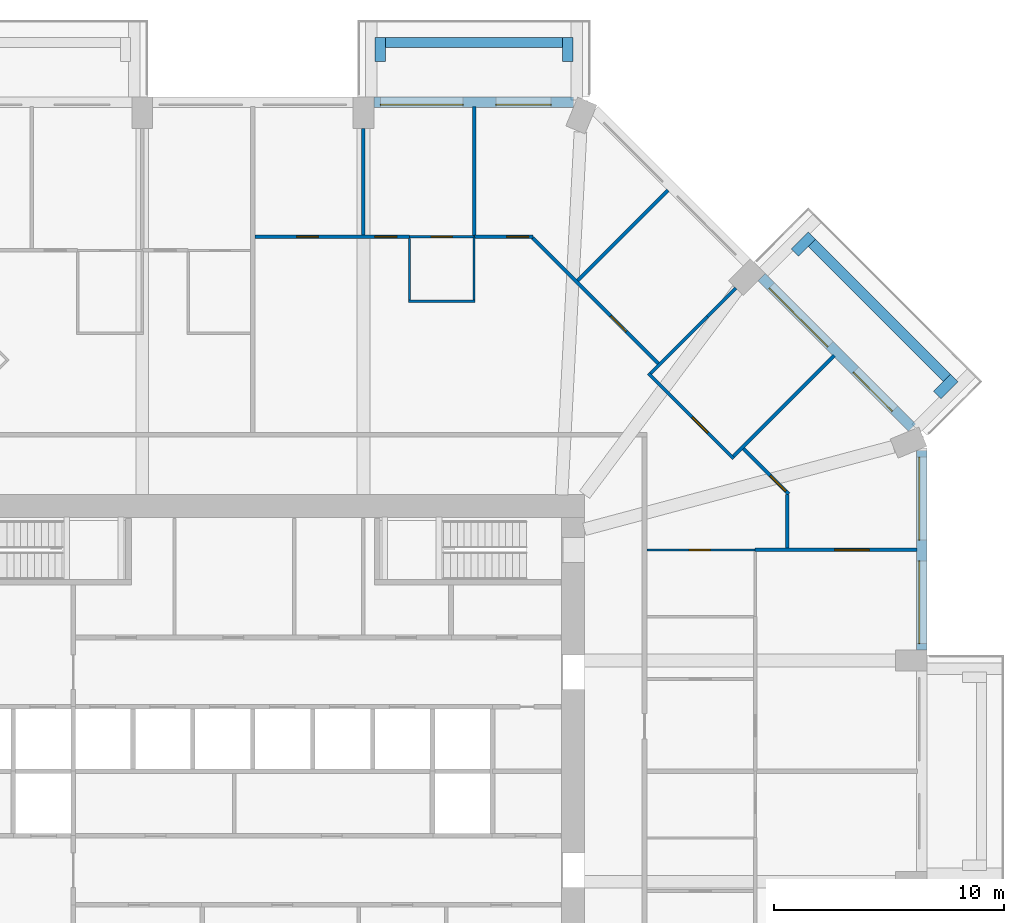
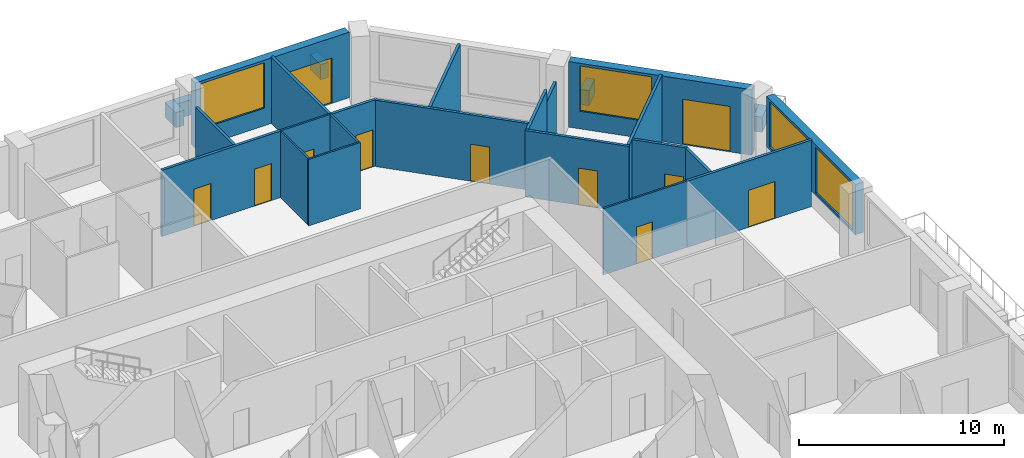
# One storey, part 10 of 13: 27 walls, 11 doors, 4 windows, 15 openings.
"""IFC4 building model written with IfcOpenShell, lengths in metres."""

from ifc_helpers import new_model, si_unit, direction, frame, frame_2d, origin, place, context, subcontext, project, spatial, rectangle, extrude, material, layer, layer_set, type_object, element, fill, save


model = new_model("IFC4")

# Units and contexts
model_context = context("Model", 3, precision=1e-05, world=origin(), true_north=direction((0.0, 1.0)))
body_context = subcontext(model_context, "Body", "Model", "MODEL_VIEW")
ifc_project = project(units=[si_unit("LENGTHUNIT", "METRE"), si_unit("AREAUNIT", "SQUARE_METRE"), si_unit("VOLUMEUNIT", "CUBIC_METRE"), si_unit("PLANEANGLEUNIT", "RADIAN"), si_unit("MASSUNIT", "GRAM", prefix="KILO")], contexts=[model_context])

# Site, building, storey
site_placement = place(None, origin())
site = spatial("IfcSite", under=ifc_project, at=site_placement, CompositionType="ELEMENT")
building_placement = place(site_placement, origin())
building = spatial("IfcBuilding", under=site, at=building_placement, Name="Msitu Wima Residences", CompositionType="ELEMENT")
storey_placement = place(building_placement, frame((0.0, 0.0, 38.10009765625)))
storey = spatial("IfcBuildingStorey", under=building, at=storey_placement, Name="L08", CompositionType="ELEMENT", Elevation=38.10009765625)

# Walls
ifc_material_1 = material(Name="Facing brick")
ifc_layer_1 = layer(ifc_material_1, 0.06494140625, Name="Facing brick")
ifc_material_2 = material(Name="Concrete C40/50", Category="concrete")
ifc_layer_2 = layer(ifc_material_2, 0.156005859375, Name="Concrete C40/50")
ifc_material_3 = material(Name="Waterproofing membrane")
ifc_layer_3 = layer(ifc_material_3, 0.00390625, Name="Waterproofing membrane")
ifc_material_4 = material(Name="Planting soil and planting")
ifc_layer_4 = layer(ifc_material_4, 0.22509765625, Name="Planting soil and planting")
ifc_layer_set_1 = layer_set([ifc_layer_1, ifc_layer_2, ifc_layer_3, ifc_layer_4], Name="Concrete C40/50")
wall_type_1 = type_object("IfcWallType", Name="Balcony planter PLANTER PL450", PredefinedType="USERDEFINED", material=ifc_layer_set_1)
wall_1_placement = place(storey_placement, frame((30.125732421875, 17.0693359375, 0.0), z_axis=(0.0, 0.0, 1.0), x_axis=(-0.707106781187, 0.707106781187, 0.0)))
element("IfcWall", 1, at=wall_1_placement, inside=storey, type_object=wall_type_1, Name="Balcony planter NE0 L08", ObjectType="PLANTER", PredefinedType="USERDEFINED", context=body_context, shape_type="SweptSolid", body=[
    extrude(rectangle(XDim=8.2822265625, YDim=0.449951171875, at=frame_2d((4.14111328125, 0.0))), origin(), (0.0, 0.0, 1.0), 0.89990234375),
])
for number, where, z_axis, x_axis, name in (
    (2, (29.70166015625, 16.326904296875, 0.0), (0.0, 0.0, 1.0), (0.707106781187, 0.707106781187, 0.0), "Balcony planter NE0 L08"),
    (3, (23.52685546875, 22.50146484375, 0.0), (0.0, 0.0, 1.0), (0.706990528533, 0.707223014731, 0.0), "Balcony planter NE0 L08"),
):
    element("IfcWall", number, at=place(storey_placement, frame(where, z_axis=z_axis, x_axis=x_axis)), inside=storey, type_object=wall_type_1, Name=name, ObjectType="PLANTER", PredefinedType="USERDEFINED", context=body_context, shape_type="SweptSolid", body=[
        extrude(rectangle(XDim=1.050048828125, YDim=0.449951171875, at=frame_2d((0.52490234375, 0.0))), origin(), (0.0, 0.0, 1.0), 0.89990234375),
    ])
wall_2_placement = place(storey_placement, frame((13.449951171875, 31.625, 0.0), z_axis=(0.0, 0.0, 1.0), x_axis=(-1.0, 0.0, 0.0)))
element("IfcWall", 4, at=wall_2_placement, inside=storey, type_object=wall_type_1, Name="Balcony planter N0 L08", ObjectType="PLANTER", PredefinedType="USERDEFINED", context=body_context, shape_type="SweptSolid", body=[
    extrude(rectangle(XDim=7.699951171875, YDim=0.449951171875, at=frame_2d((3.85009765625, 0.0))), origin(), (0.0, 0.0, 1.0), 0.89990234375),
])
for number, where, z_axis, x_axis, name in (
    (5, (13.675048828125, 30.800048828125, 0.0), (0.0, 0.0, 1.0), (0.0, 1.0, 0.0), "Balcony planter N0 L08"),
    (6, (5.52490234375, 30.800048828125, 0.0), (0.0, 0.0, 1.0), (0.0, 1.0, 0.0), "Balcony planter N0 L08"),
):
    element("IfcWall", number, at=place(storey_placement, frame(where, z_axis=z_axis, x_axis=x_axis)), inside=storey, type_object=wall_type_1, Name=name, ObjectType="PLANTER", PredefinedType="USERDEFINED", context=body_context, shape_type="SweptSolid", body=[
        extrude(rectangle(XDim=1.050048828125, YDim=0.449951171875, at=frame_2d((0.52490234375, 0.0))), origin(), (0.0, 0.0, 1.0), 0.89990234375),
    ])

# Wall, openings, windows
ifc_material_5 = material(Name="Brick (red buff mix)", Category="masonry")
ifc_layer_5 = layer(ifc_material_5, 0.449951171875)
ifc_layer_set_2 = layer_set([ifc_layer_5], Name="Brick (red buff mix)")
wall_type_2 = type_object("IfcWallType", Name="Brick infill wall BW450", PredefinedType="SOLIDWALL", material=ifc_layer_set_2)
wall_3_placement = place(storey_placement, frame((29.02490234375, 5.25, 0.89990234375), z_axis=(0.0, 0.0, 1.0), x_axis=(0.0, 1.0, 0.0)))
wall_3 = element("IfcWall", 7, at=wall_3_placement, inside=storey, type_object=wall_type_2, Name="Brick infill wall L08 E2", PredefinedType="SOLIDWALL", context=body_context, shape_type="SweptSolid", body=[
    extrude(rectangle(XDim=8.662841796875, YDim=0.449951171875, at=frame_2d((4.33154296875, 0.0))), origin(), (0.0, 0.0, 1.0), 3.0),
])
opening_1_placement = place(wall_3_placement, frame((0.281494140625, 0.0, 0.14990234375)))
opening_1 = element("IfcOpeningElement", 8, at=opening_1_placement, cuts=wall_3, Name="Opening W08-10.004", PredefinedType="OPENING", context=body_context, shape_type="SweptSolid", body=[
    extrude(rectangle(XDim=3.60009765625, YDim=2.699951171875, at=frame_2d((1.800048828125, 1.35009765625))), frame((0.0, 0.23486328125, 0.0), z_axis=(0.0, -1.0, 0.0), x_axis=(1.0, 0.0, 0.0)), (0.0, 0.0, 1.0), 0.469970703125),
])
opening_2_placement = place(wall_3_placement, frame((4.781494140625, 0.0, 0.14990234375)))
opening_2 = element("IfcOpeningElement", 9, at=opening_2_placement, cuts=wall_3, Name="Opening W08-10.005", PredefinedType="OPENING", context=body_context, shape_type="SweptSolid", body=[
    extrude(rectangle(XDim=3.60009765625, YDim=2.699951171875, at=frame_2d((1.800048828125, 1.35009765625))), frame((0.0, 0.23486328125, 0.0), z_axis=(0.0, -1.0, 0.0), x_axis=(1.0, 0.0, 0.0)), (0.0, 0.0, 1.0), 0.469970703125),
])
ifc_material_6 = material(Name="Anodised aluminium, bronze finish, clear low-emissivity double glazing", Category="aluminium")
window_type = type_object("IfcWindowType", Name="Window W3600x2700", PartitioningType="DOUBLE_PANEL_VERTICAL", PredefinedType="WINDOW", material=ifc_material_6)
window_1_placement = place(opening_1_placement, origin())
window_1 = element("IfcWindow", 10, at=window_1_placement, inside=storey, type_object=window_type, Name="Window L08 E2.1", OverallHeight=2.699951171875, OverallWidth=3.60009765625, PartitioningType="SINGLE_PANEL", PredefinedType="WINDOW", context=body_context, shape_type="SweptSolid", body=[
    extrude(rectangle(XDim=3.60009765625, YDim=2.699951171875, at=frame_2d((1.800048828125, 1.35009765625))), frame((0.0, 0.135009765625, 0.0), z_axis=(0.0, -1.0, 0.0), x_axis=(1.0, 0.0, 0.0)), (0.0, 0.0, 1.0), 0.06005859375),
])
fill(opening_1, window_1)
window_2_placement = place(opening_2_placement, origin())
window_2 = element("IfcWindow", 11, at=window_2_placement, inside=storey, type_object=window_type, Name="Window L08 E2.2", OverallHeight=2.699951171875, OverallWidth=3.60009765625, PartitioningType="SINGLE_PANEL", PredefinedType="WINDOW", context=body_context, shape_type="SweptSolid", body=[
    extrude(rectangle(XDim=3.60009765625, YDim=2.699951171875, at=frame_2d((1.800048828125, 1.35009765625))), frame((0.0, 0.135009765625, 0.0), z_axis=(0.0, -1.0, 0.0), x_axis=(1.0, 0.0, 0.0)), (0.0, 0.0, 1.0), 0.06005859375),
])
fill(opening_2, window_2)

# Wall, openings, door, window
wall_4_placement = place(storey_placement, frame((28.61474609375, 14.903564453125, 0.0), z_axis=(0.0, 0.0, 1.0), x_axis=(-0.707106781187, 0.707106781187, 0.0)))
wall_4 = element("IfcWall", 12, at=wall_4_placement, inside=storey, type_object=wall_type_2, Name="Brick infill wall L08 NE0", PredefinedType="SOLIDWALL", context=body_context, shape_type="SweptSolid", body=[
    extrude(rectangle(XDim=9.2451171875, YDim=0.449951171875, at=frame_2d((4.62255859375, 0.0))), origin(), (0.0, 0.0, 1.0), 3.89990234375),
])
opening_3_placement = place(wall_4_placement, frame((1.111328125, 0.0, 0.0)))
opening_3 = element("IfcOpeningElement", 13, at=opening_3_placement, cuts=wall_4, Name="Opening D08-10.004", PredefinedType="OPENING", context=body_context, shape_type="SweptSolid", body=[
    extrude(rectangle(XDim=2.39990234375, YDim=2.699951171875, at=frame_2d((1.199951171875, 1.35009765625))), frame((0.0, 0.23486328125, 0.0), z_axis=(0.0, -1.0, 0.0), x_axis=(1.0, 0.0, 0.0)), (0.0, 0.0, 1.0), 0.469970703125),
])
opening_4_placement = place(wall_4_placement, frame((5.072509765625, 0.0, 1.050048828125)))
opening_4 = element("IfcOpeningElement", 14, at=opening_4_placement, cuts=wall_4, Name="Opening W08-10.010", PredefinedType="OPENING", context=body_context, shape_type="SweptSolid", body=[
    extrude(rectangle(XDim=3.60009765625, YDim=2.699951171875, at=frame_2d((1.800048828125, 1.35009765625))), frame((0.0, 0.23486328125, 0.0), z_axis=(0.0, -1.0, 0.0), x_axis=(1.0, 0.0, 0.0)), (0.0, 0.0, 1.0), 0.469970703125),
])
door_type_1 = type_object("IfcDoorType", Name="Balcony door D2400x2700", OperationType="SLIDING_TO_LEFT", PredefinedType="DOOR", material=ifc_material_6)
door_1_placement = place(opening_3_placement, origin())
door_1 = element("IfcDoor", 15, at=door_1_placement, inside=storey, type_object=door_type_1, Name="Balcony door L08 NE0", OperationType="SINGLE_SWING_LEFT", OverallHeight=2.699951171875, OverallWidth=2.39990234375, PredefinedType="DOOR", context=body_context, shape_type="SweptSolid", body=[
    extrude(rectangle(XDim=2.39990234375, YDim=2.699951171875, at=frame_2d((1.199951171875, 1.35009765625))), frame((0.0, 0.1298828125, 0.0), z_axis=(0.0, -1.0, 0.0), x_axis=(1.0, 0.0, 0.0)), (0.0, 0.0, 1.0), 0.050048828125),
])
fill(opening_3, door_1)
window_3_placement = place(opening_4_placement, origin())
window_3 = element("IfcWindow", 16, at=window_3_placement, inside=storey, type_object=window_type, Name="Window L08 NE0.2", OverallHeight=2.699951171875, OverallWidth=3.60009765625, PartitioningType="SINGLE_PANEL", PredefinedType="WINDOW", context=body_context, shape_type="SweptSolid", body=[
    extrude(rectangle(XDim=3.60009765625, YDim=2.699951171875, at=frame_2d((1.800048828125, 1.35009765625))), frame((0.0, 0.135009765625, 0.0), z_axis=(0.0, -1.0, 0.0), x_axis=(1.0, 0.0, 0.0)), (0.0, 0.0, 1.0), 0.06005859375),
])
fill(opening_4, window_3)

wall_5_placement = place(storey_placement, frame((13.912841796875, 29.02490234375, 0.0), z_axis=(0.0, 0.0, 1.0), x_axis=(-1.0, 0.0, 0.0)))
wall_5 = element("IfcWall", 17, at=wall_5_placement, inside=storey, type_object=wall_type_2, Name="Brick infill wall L08 N0", PredefinedType="SOLIDWALL", context=body_context, shape_type="SweptSolid", body=[
    extrude(rectangle(XDim=8.662841796875, YDim=0.449951171875, at=frame_2d((4.33154296875, 0.0))), origin(), (0.0, 0.0, 1.0), 3.89990234375),
])
opening_5_placement = place(wall_5_placement, frame((0.9658203125, 0.0, 0.0)))
opening_5 = element("IfcOpeningElement", 18, at=opening_5_placement, cuts=wall_5, Name="Opening D08-10.002", PredefinedType="OPENING", context=body_context, shape_type="SweptSolid", body=[
    extrude(rectangle(XDim=2.39990234375, YDim=2.699951171875, at=frame_2d((1.199951171875, 1.35009765625))), frame((0.0, 0.23486328125, 0.0), z_axis=(0.0, -1.0, 0.0), x_axis=(1.0, 0.0, 0.0)), (0.0, 0.0, 1.0), 0.469970703125),
])
opening_6_placement = place(wall_5_placement, frame((4.781494140625, 0.0, 1.050048828125)))
opening_6 = element("IfcOpeningElement", 19, at=opening_6_placement, cuts=wall_5, Name="Opening W08-10.006", PredefinedType="OPENING", context=body_context, shape_type="SweptSolid", body=[
    extrude(rectangle(XDim=3.60009765625, YDim=2.699951171875, at=frame_2d((1.800048828125, 1.35009765625))), frame((0.0, 0.23486328125, 0.0), z_axis=(0.0, -1.0, 0.0), x_axis=(1.0, 0.0, 0.0)), (0.0, 0.0, 1.0), 0.469970703125),
])
door_2_placement = place(opening_5_placement, origin())
door_2 = element("IfcDoor", 20, at=door_2_placement, inside=storey, type_object=door_type_1, Name="Balcony door L08 N0", OperationType="SINGLE_SWING_LEFT", OverallHeight=2.699951171875, OverallWidth=2.39990234375, PredefinedType="DOOR", context=body_context, shape_type="SweptSolid", body=[
    extrude(rectangle(XDim=2.39990234375, YDim=2.699951171875, at=frame_2d((1.199951171875, 1.35009765625))), frame((0.0, 0.1298828125, 0.0), z_axis=(0.0, -1.0, 0.0), x_axis=(1.0, 0.0, 0.0)), (0.0, 0.0, 1.0), 0.050048828125),
])
fill(opening_5, door_2)
window_4_placement = place(opening_6_placement, origin())
window_4 = element("IfcWindow", 21, at=window_4_placement, inside=storey, type_object=window_type, Name="Window L08 N0.2", OverallHeight=2.699951171875, OverallWidth=3.60009765625, PartitioningType="SINGLE_PANEL", PredefinedType="WINDOW", context=body_context, shape_type="SweptSolid", body=[
    extrude(rectangle(XDim=3.60009765625, YDim=2.699951171875, at=frame_2d((1.800048828125, 1.35009765625))), frame((0.0, 0.135009765625, 0.0), z_axis=(0.0, -1.0, 0.0), x_axis=(1.0, 0.0, 0.0)), (0.0, 0.0, 1.0), 0.06005859375),
])
fill(opening_6, window_4)

# Wall, openings, doors
ifc_material_7 = material(Name="Plaster")
ifc_layer_6 = layer(ifc_material_7, 0.011962890625, Name="Plaster")
ifc_material_8 = material(Name="Concrete blockwork", Category="masonry")
ifc_layer_7 = layer(ifc_material_8, 0.1259765625, Name="Concrete blockwork")
ifc_layer_8 = layer(ifc_material_7, 0.011962890625, Name="Plaster")
ifc_layer_set_3 = layer_set([ifc_layer_6, ifc_layer_7, ifc_layer_8], Name="Concrete blockwork")
wall_type_3 = type_object("IfcWallType", Name="Partition PW150", PredefinedType="PARTITIONING", material=ifc_layer_set_3)
wall_6_placement = place(storey_placement, frame((0.10009765625, 23.199951171875, 0.0), z_axis=(0.0, 0.0, 1.0), x_axis=(1.0, 0.0, 0.0)))
wall_6 = element("IfcWall", 22, at=wall_6_placement, inside=storey, type_object=wall_type_3, Name="Partition", PredefinedType="PARTITIONING", context=body_context, shape_type="SweptSolid", body=[
    extrude(rectangle(XDim=6.699951171875, YDim=0.14990234375, at=frame_2d((3.35009765625, 0.0))), origin(), (0.0, 0.0, 1.0), 3.949951171875),
])
opening_7_placement = place(wall_6_placement, frame((1.800048828125, 0.0, 0.0)))
opening_7 = element("IfcOpeningElement", 23, at=opening_7_placement, cuts=wall_6, Name="Opening D08-10.086", PredefinedType="OPENING", context=body_context, shape_type="SweptSolid", body=[
    extrude(rectangle(XDim=0.949951171875, YDim=2.199951171875, at=frame_2d((0.47509765625, 1.10009765625))), frame((0.0, 0.0849609375, 0.0), z_axis=(0.0, -1.0, 0.0), x_axis=(1.0, 0.0, 0.0)), (0.0, 0.0, 1.0), 0.169921875),
])
opening_8_placement = place(wall_6_placement, frame((5.199951171875, 0.0, 0.0)))
opening_8 = element("IfcOpeningElement", 24, at=opening_8_placement, cuts=wall_6, Name="Opening D08-10.087", PredefinedType="OPENING", context=body_context, shape_type="SweptSolid", body=[
    extrude(rectangle(XDim=0.949951171875, YDim=2.199951171875, at=frame_2d((0.47509765625, 1.10009765625))), frame((0.0, 0.0849609375, 0.0), z_axis=(0.0, -1.0, 0.0), x_axis=(1.0, 0.0, 0.0)), (0.0, 0.0, 1.0), 0.169921875),
])
ifc_material_9 = material(Name="Timber flush door", Category="wood")
door_type_2 = type_object("IfcDoorType", Name="Room door D12 950x2200", OperationType="SINGLE_SWING_LEFT", PredefinedType="DOOR", material=ifc_material_9)
door_3_placement = place(opening_7_placement, origin())
door_3 = element("IfcDoor", 25, at=door_3_placement, inside=storey, type_object=door_type_2, Name="Room door", OperationType="SINGLE_SWING_LEFT", OverallHeight=2.199951171875, OverallWidth=0.949951171875, PredefinedType="DOOR", context=body_context, shape_type="SweptSolid", body=[
    extrude(rectangle(XDim=0.949951171875, YDim=2.199951171875, at=frame_2d((0.47509765625, 1.10009765625))), frame((0.0, 0.02490234375, 0.0), z_axis=(0.0, -1.0, 0.0), x_axis=(1.0, 0.0, 0.0)), (0.0, 0.0, 1.0), 0.050048828125),
])
fill(opening_7, door_3)
door_4_placement = place(opening_8_placement, origin())
door_4 = element("IfcDoor", 26, at=door_4_placement, inside=storey, type_object=door_type_2, Name="Room door", OperationType="SINGLE_SWING_LEFT", OverallHeight=2.199951171875, OverallWidth=0.949951171875, PredefinedType="DOOR", context=body_context, shape_type="SweptSolid", body=[
    extrude(rectangle(XDim=0.949951171875, YDim=2.199951171875, at=frame_2d((0.47509765625, 1.10009765625))), frame((0.0, 0.02490234375, 0.0), z_axis=(0.0, -1.0, 0.0), x_axis=(1.0, 0.0, 0.0)), (0.0, 0.0, 1.0), 0.050048828125),
])
fill(opening_8, door_4)

# Walls
wall_7_placement = place(storey_placement, frame((4.800048828125, 23.27490234375, 0.0), z_axis=(0.0, 0.0, 1.0), x_axis=(0.0, 1.0, 0.0)))
element("IfcWall", 27, at=wall_7_placement, inside=storey, type_object=wall_type_3, Name="Partition", PredefinedType="PARTITIONING", context=body_context, shape_type="SweptSolid", body=[
    extrude(rectangle(XDim=4.625, YDim=0.14990234375, at=frame_2d((2.3125, 0.0))), origin(), (0.0, 0.0, 1.0), 3.199951171875),
])
wall_8_placement = place(storey_placement, frame((9.60009765625, 23.179931640625, 0.0), z_axis=(0.0, 0.0, 1.0), x_axis=(0.0, 1.0, 0.0)))
element("IfcWall", 28, at=wall_8_placement, inside=storey, type_object=wall_type_3, Name="Partition", PredefinedType="PARTITIONING", context=body_context, shape_type="SweptSolid", body=[
    extrude(rectangle(XDim=5.675048828125, YDim=0.14990234375, at=frame_2d((2.83740234375, 0.0))), origin(), (0.0, 0.0, 1.0), 3.949951171875),
])

# Wall, opening, door
wall_9_placement = place(storey_placement, frame((9.6201171875, 23.199951171875, 0.0), z_axis=(0.0, 0.0, 1.0), x_axis=(1.0, 0.0, 0.0)))
wall_9 = element("IfcWall", 29, at=wall_9_placement, inside=storey, type_object=wall_type_3, Name="Partition", PredefinedType="PARTITIONING", context=body_context, shape_type="SweptSolid", body=[
    extrude(rectangle(XDim=2.535400390625, YDim=0.14990234375, at=frame_2d((1.267578125, 0.0))), origin(), (0.0, 0.0, 1.0), 3.949951171875),
])
opening_9_placement = place(wall_9_placement, frame((1.39990234375, 0.0, 0.0)))
opening_9 = element("IfcOpeningElement", 30, at=opening_9_placement, cuts=wall_9, Name="Opening D08-10.043", PredefinedType="OPENING", context=body_context, shape_type="SweptSolid", body=[
    extrude(rectangle(XDim=0.949951171875, YDim=2.199951171875, at=frame_2d((0.47509765625, 1.10009765625))), frame((0.0, 0.0849609375, 0.0), z_axis=(0.0, -1.0, 0.0), x_axis=(1.0, 0.0, 0.0)), (0.0, 0.0, 1.0), 0.169921875),
])
door_5_placement = place(opening_9_placement, origin())
door_5 = element("IfcDoor", 31, at=door_5_placement, inside=storey, type_object=door_type_2, Name="Room door", OperationType="SINGLE_SWING_LEFT", OverallHeight=2.199951171875, OverallWidth=0.949951171875, PredefinedType="DOOR", context=body_context, shape_type="SweptSolid", body=[
    extrude(rectangle(XDim=0.949951171875, YDim=2.199951171875, at=frame_2d((0.47509765625, 1.10009765625))), frame((0.0, 0.02490234375, 0.0), z_axis=(0.0, -1.0, 0.0), x_axis=(1.0, 0.0, 0.0)), (0.0, 0.0, 1.0), 0.050048828125),
])
fill(opening_9, door_5)

wall_10_placement = place(storey_placement, frame((12.133544921875, 23.14697265625, 0.0), z_axis=(0.0, 0.0, 1.0), x_axis=(0.707090953922, -0.707122608097, 0.0)))
wall_10 = element("IfcWall", 32, at=wall_10_placement, inside=storey, type_object=wall_type_3, Name="Partition", PredefinedType="PARTITIONING", context=body_context, shape_type="SweptSolid", body=[
    extrude(rectangle(XDim=7.712646484375, YDim=0.14990234375, at=frame_2d((3.8564453125, 0.0))), origin(), (0.0, 0.0, 1.0), 3.949951171875),
])
opening_10_placement = place(wall_10_placement, frame((4.800048828125, 0.0, 0.0)))
opening_10 = element("IfcOpeningElement", 33, at=opening_10_placement, cuts=wall_10, Name="Opening D08-10.085", PredefinedType="OPENING", context=body_context, shape_type="SweptSolid", body=[
    extrude(rectangle(XDim=0.949951171875, YDim=2.199951171875, at=frame_2d((0.47509765625, 1.10009765625))), frame((0.0, 0.0849609375, 0.0), z_axis=(0.0, -1.0, 0.0), x_axis=(1.0, 0.0, 0.0)), (0.0, 0.0, 1.0), 0.169921875),
])
door_6_placement = place(opening_10_placement, origin())
door_6 = element("IfcDoor", 34, at=door_6_placement, inside=storey, type_object=door_type_2, Name="Room door", OperationType="SINGLE_SWING_RIGHT", OverallHeight=2.199951171875, OverallWidth=0.949951171875, PredefinedType="DOOR", context=body_context, shape_type="SweptSolid", body=[
    extrude(rectangle(XDim=0.949951171875, YDim=2.199951171875, at=frame_2d((0.47509765625, 1.10009765625))), frame((0.0, 0.02490234375, 0.0), z_axis=(0.0, -1.0, 0.0), x_axis=(1.0, 0.0, 0.0)), (0.0, 0.0, 1.0), 0.050048828125),
])
fill(opening_10, door_6)

# Wall
wall_11_placement = place(storey_placement, frame((14.09326171875, 21.293212890625, 0.0), z_axis=(0.0, 0.0, 1.0), x_axis=(0.70708478617, 0.707128775519, 0.0)))
element("IfcWall", 35, at=wall_11_placement, inside=storey, type_object=wall_type_3, Name="Partition", PredefinedType="PARTITIONING", context=body_context, shape_type="SweptSolid", body=[
    extrude(rectangle(XDim=5.550048828125, YDim=0.14990234375, at=frame_2d((2.77490234375, 0.0))), origin(), (0.0, 0.0, 1.0), 3.949951171875),
])

# Wall, opening, door
wall_12_placement = place(storey_placement, frame((17.162841796875, 17.26904296875, 0.0), z_axis=(0.0, 0.0, 1.0), x_axis=(0.707106781187, -0.707106781187, 0.0)))
wall_12 = element("IfcWall", 36, at=wall_12_placement, inside=storey, type_object=wall_type_3, Name="Partition", PredefinedType="PARTITIONING", context=body_context, shape_type="SweptSolid", body=[
    extrude(rectangle(XDim=5.2412109375, YDim=0.14990234375, at=frame_2d((2.62060546875, 0.0))), origin(), (0.0, 0.0, 1.0), 3.949951171875),
])
opening_11_placement = place(wall_12_placement, frame((2.699951171875, 0.0, 0.0)))
opening_11 = element("IfcOpeningElement", 37, at=opening_11_placement, cuts=wall_12, Name="Opening D08-10.089", PredefinedType="OPENING", context=body_context, shape_type="SweptSolid", body=[
    extrude(rectangle(XDim=0.949951171875, YDim=2.199951171875, at=frame_2d((0.47509765625, 1.10009765625))), frame((0.0, 0.0849609375, 0.0), z_axis=(0.0, -1.0, 0.0), x_axis=(1.0, 0.0, 0.0)), (0.0, 0.0, 1.0), 0.169921875),
])
door_7_placement = place(opening_11_placement, origin())
door_7 = element("IfcDoor", 38, at=door_7_placement, inside=storey, type_object=door_type_2, Name="Room door", OperationType="SINGLE_SWING_RIGHT", OverallHeight=2.199951171875, OverallWidth=0.949951171875, PredefinedType="DOOR", context=body_context, shape_type="SweptSolid", body=[
    extrude(rectangle(XDim=0.949951171875, YDim=2.199951171875, at=frame_2d((0.47509765625, 1.10009765625))), frame((0.0, 0.02490234375, 0.0), z_axis=(0.0, -1.0, 0.0), x_axis=(1.0, 0.0, 0.0)), (0.0, 0.0, 1.0), 0.050048828125),
])
fill(opening_11, door_7)

# Walls
wall_13_placement = place(storey_placement, frame((17.26904296875, 17.26904296875, 0.0), z_axis=(0.0, 0.0, 1.0), x_axis=(0.707106781187, 0.707106781187, 0.0)))
element("IfcWall", 39, at=wall_13_placement, inside=storey, type_object=wall_type_3, Name="Partition", PredefinedType="PARTITIONING", context=body_context, shape_type="SweptSolid", body=[
    extrude(rectangle(XDim=3.4765625, YDim=0.14990234375, at=frame_2d((1.73828125, 0.0))), origin(), (0.0, 0.0, 1.0), 3.949951171875),
])
wall_14_placement = place(storey_placement, frame((19.727294921875, 19.727294921875, 0.0), z_axis=(0.0, 0.0, 1.0), x_axis=(0.707106781187, 0.707106781187, 0.0)))
element("IfcWall", 40, at=wall_14_placement, inside=storey, type_object=wall_type_3, Name="Partition", PredefinedType="PARTITIONING", context=body_context, shape_type="SweptSolid", body=[
    extrude(rectangle(XDim=1.74853515625, YDim=0.14990234375, at=frame_2d((0.874267578125, 0.0))), origin(), (0.0, 0.0, 1.0), 3.25),
])
wall_15_placement = place(storey_placement, frame((20.868896484375, 13.6689453125, 0.0), z_axis=(0.0, 0.0, 1.0), x_axis=(0.707106781187, 0.707106781187, 0.0)))
element("IfcWall", 41, at=wall_15_placement, inside=storey, type_object=wall_type_3, Name="Partition", PredefinedType="PARTITIONING", context=body_context, shape_type="SweptSolid", body=[
    extrude(rectangle(XDim=6.179931640625, YDim=0.14990234375, at=frame_2d((3.08984375, 0.0))), origin(), (0.0, 0.0, 1.0), 3.949951171875),
])

# Wall, opening, door
wall_16_placement = place(storey_placement, frame((21.293212890625, 13.987060546875, 0.0), z_axis=(0.0, 0.0, 1.0), x_axis=(0.707106781187, -0.707106781187, 0.0)))
wall_16 = element("IfcWall", 42, at=wall_16_placement, inside=storey, type_object=wall_type_3, Name="Partition", PredefinedType="PARTITIONING", context=body_context, shape_type="SweptSolid", body=[
    extrude(rectangle(XDim=2.771484375, YDim=0.14990234375, at=frame_2d((1.3857421875, 0.0))), origin(), (0.0, 0.0, 1.0), 3.949951171875),
])
opening_12_placement = place(wall_16_placement, frame((1.64990234375, 0.0, 0.0)))
opening_12 = element("IfcOpeningElement", 43, at=opening_12_placement, cuts=wall_16, Name="Opening D08-10.074", PredefinedType="OPENING", context=body_context, shape_type="SweptSolid", body=[
    extrude(rectangle(XDim=0.949951171875, YDim=2.199951171875, at=frame_2d((0.47509765625, 1.10009765625))), frame((0.0, 0.0849609375, 0.0), z_axis=(0.0, -1.0, 0.0), x_axis=(1.0, 0.0, 0.0)), (0.0, 0.0, 1.0), 0.169921875),
])
door_8_placement = place(opening_12_placement, origin())
door_8 = element("IfcDoor", 44, at=door_8_placement, inside=storey, type_object=door_type_2, Name="Room door", OperationType="SINGLE_SWING_LEFT", OverallHeight=2.199951171875, OverallWidth=0.949951171875, PredefinedType="DOOR", context=body_context, shape_type="SweptSolid", body=[
    extrude(rectangle(XDim=0.949951171875, YDim=2.199951171875, at=frame_2d((0.47509765625, 1.10009765625))), frame((0.0, 0.02490234375, 0.0), z_axis=(0.0, -1.0, 0.0), x_axis=(1.0, 0.0, 0.0)), (0.0, 0.0, 1.0), 0.050048828125),
])
fill(opening_12, door_8)

wall_17_placement = place(storey_placement, frame((21.800048828125, 9.60009765625, 0.0), z_axis=(0.0, 0.0, 1.0), x_axis=(1.0, 0.0, 0.0)))
wall_17 = element("IfcWall", 45, at=wall_17_placement, inside=storey, type_object=wall_type_3, Name="Partition", PredefinedType="PARTITIONING", context=body_context, shape_type="SweptSolid", body=[
    extrude(rectangle(XDim=7.02490234375, YDim=0.14990234375, at=frame_2d((3.512451171875, 0.0))), origin(), (0.0, 0.0, 1.0), 3.949951171875),
])
opening_13_placement = place(wall_17_placement, frame((3.449951171875, 0.0, 0.0)))
opening_13 = element("IfcOpeningElement", 46, at=opening_13_placement, cuts=wall_17, Name="Opening D08-10.052", PredefinedType="OPENING", context=body_context, shape_type="SweptSolid", body=[
    extrude(rectangle(XDim=1.5, YDim=2.199951171875, at=frame_2d((0.75, 1.10009765625))), frame((0.0, 0.0849609375, 0.0), z_axis=(0.0, -1.0, 0.0), x_axis=(1.0, 0.0, 0.0)), (0.0, 0.0, 1.0), 0.169921875),
])
ifc_material_10 = material(Name="Timber double door", Category="wood")
door_type_3 = type_object("IfcDoorType", Name="Double door D04 1500x2200", OperationType="DOUBLE_DOOR_SINGLE_SWING", PredefinedType="DOOR", material=ifc_material_10)
door_9_placement = place(opening_13_placement, origin())
door_9 = element("IfcDoor", 47, at=door_9_placement, inside=storey, type_object=door_type_3, Name="Double door", OperationType="DOUBLE_DOOR_SINGLE_SWING", OverallHeight=2.199951171875, OverallWidth=1.5, PredefinedType="DOOR", context=body_context, shape_type="SweptSolid", body=[
    extrude(rectangle(XDim=1.5, YDim=2.199951171875, at=frame_2d((0.75, 1.10009765625))), frame((0.0, 0.02490234375, 0.0), z_axis=(0.0, -1.0, 0.0), x_axis=(1.0, 0.0, 0.0)), (0.0, 0.0, 1.0), 0.050048828125),
])
fill(opening_13, door_9)

# Wall
wall_18_placement = place(storey_placement, frame((23.199951171875, 9.675048828125, 0.0), z_axis=(0.0, 0.0, 1.0), x_axis=(0.0, 1.0, 0.0)))
element("IfcWall", 48, at=wall_18_placement, inside=storey, type_object=wall_type_3, Name="Partition", PredefinedType="PARTITIONING", context=body_context, shape_type="SweptSolid", body=[
    extrude(rectangle(XDim=2.330322265625, YDim=0.14990234375, at=frame_2d((1.1650390625, 0.0))), origin(), (0.0, 0.0, 1.0), 3.949951171875),
])

# Wall, opening, door
ifc_material_11 = material(Name="Ceramic tiles")
ifc_layer_9 = layer(ifc_material_11, 0.008056640625, Name="Ceramic tiles")
ifc_material_12 = material(Name="Moisture-resistant board")
ifc_layer_10 = layer(ifc_material_12, 0.012451171875, Name="Moisture-resistant board")
ifc_material_13 = material(Name="Light-gauge stud framing with mineral wool")
ifc_layer_11 = layer(ifc_material_13, 0.06689453125, Name="Light-gauge stud framing with mineral wool")
ifc_layer_12 = layer(ifc_material_12, 0.012451171875, Name="Moisture-resistant board")
ifc_layer_set_4 = layer_set([ifc_layer_9, ifc_layer_10, ifc_layer_11, ifc_layer_12], Name="Light-gauge stud framing with mineral wool")
wall_type_4 = type_object("IfcWallType", Name="Wet wall PW100", PredefinedType="PARTITIONING", material=ifc_layer_set_4)
wall_19_placement = place(storey_placement, frame((6.800048828125, 23.199951171875, 0.0), z_axis=(0.0, 0.0, 1.0), x_axis=(1.0, 0.0, 0.0)))
wall_19 = element("IfcWall", 49, at=wall_19_placement, inside=storey, type_object=wall_type_4, Name="Wet wall", PredefinedType="PARTITIONING", context=body_context, shape_type="SweptSolid", body=[
    extrude(rectangle(XDim=2.820068359375, YDim=0.10009765625, at=frame_2d((1.41015625, 0.0))), origin(), (0.0, 0.0, 1.0), 3.949951171875),
])
opening_14_placement = place(wall_19_placement, frame((0.949951171875, 0.0, 0.0)))
opening_14 = element("IfcOpeningElement", 50, at=opening_14_placement, cuts=wall_19, Name="Opening D08-10.088", PredefinedType="OPENING", context=body_context, shape_type="SweptSolid", body=[
    extrude(rectangle(XDim=0.89990234375, YDim=2.199951171875, at=frame_2d((0.449951171875, 1.10009765625))), frame((0.0, 0.06005859375, 0.0), z_axis=(0.0, -1.0, 0.0), x_axis=(1.0, 0.0, 0.0)), (0.0, 0.0, 1.0), 0.1201171875),
])
ifc_material_14 = material(Name="Timber flush door, moisture resistant", Category="wood")
door_type_4 = type_object("IfcDoorType", Name="Bathroom door D03 900x2200", OperationType="SINGLE_SWING_LEFT", PredefinedType="DOOR", material=ifc_material_14)
door_10_placement = place(opening_14_placement, origin())
door_10 = element("IfcDoor", 51, at=door_10_placement, inside=storey, type_object=door_type_4, Name="Bathroom door", OperationType="SINGLE_SWING_RIGHT", OverallHeight=2.199951171875, OverallWidth=0.89990234375, PredefinedType="DOOR", context=body_context, shape_type="SweptSolid", body=[
    extrude(rectangle(XDim=0.89990234375, YDim=2.199951171875, at=frame_2d((0.449951171875, 1.10009765625))), frame((0.0, 0.02490234375, 0.0), z_axis=(0.0, -1.0, 0.0), x_axis=(1.0, 0.0, 0.0)), (0.0, 0.0, 1.0), 0.050048828125),
])
fill(opening_14, door_10)

# Walls
wall_20_placement = place(storey_placement, frame((6.800048828125, 20.449951171875, 0.0), z_axis=(0.0, 0.0, 1.0), x_axis=(0.0, 1.0, 0.0)))
element("IfcWall", 52, at=wall_20_placement, inside=storey, type_object=wall_type_4, Name="Wet wall", PredefinedType="PARTITIONING", context=body_context, shape_type="SweptSolid", body=[
    extrude(rectangle(XDim=2.675048828125, YDim=0.10009765625, at=frame_2d((1.33740234375, 0.0))), origin(), (0.0, 0.0, 1.0), 3.949951171875),
])
wall_21_placement = place(storey_placement, frame((6.75, 20.39990234375, 0.0), z_axis=(0.0, 0.0, 1.0), x_axis=(1.0, 0.0, 0.0)))
element("IfcWall", 53, at=wall_21_placement, inside=storey, type_object=wall_type_4, Name="Wet wall", PredefinedType="PARTITIONING", context=body_context, shape_type="SweptSolid", body=[
    extrude(rectangle(XDim=2.89990234375, YDim=0.10009765625, at=frame_2d((1.449951171875, 0.0))), origin(), (0.0, 0.0, 1.0), 3.949951171875),
])
wall_22_placement = place(storey_placement, frame((9.60009765625, 20.449951171875, 0.0), z_axis=(0.0, 0.0, 1.0), x_axis=(0.0, 1.0, 0.0)))
element("IfcWall", 54, at=wall_22_placement, inside=storey, type_object=wall_type_4, Name="Wet wall", PredefinedType="PARTITIONING", context=body_context, shape_type="SweptSolid", body=[
    extrude(rectangle(XDim=2.72998046875, YDim=0.10009765625, at=frame_2d((1.364990234375, 0.0))), origin(), (0.0, 0.0, 1.0), 3.949951171875),
])

# Wall, opening, door
wall_23_placement = place(storey_placement, frame((17.10009765625, 9.60009765625, 0.0), z_axis=(0.0, 0.0, 1.0), x_axis=(1.0, 0.0, 0.0)))
wall_23 = element("IfcWall", 55, at=wall_23_placement, inside=storey, type_object=wall_type_4, Name="Wet wall", PredefinedType="PARTITIONING", context=body_context, shape_type="SweptSolid", body=[
    extrude(rectangle(XDim=4.699951171875, YDim=0.10009765625, at=frame_2d((2.35009765625, 0.0))), origin(), (0.0, 0.0, 1.0), 3.949951171875),
])
opening_15_placement = place(wall_23_placement, frame((1.85009765625, 0.0, 0.0)))
opening_15 = element("IfcOpeningElement", 56, at=opening_15_placement, cuts=wall_23, Name="Opening D08-10.042", PredefinedType="OPENING", context=body_context, shape_type="SweptSolid", body=[
    extrude(rectangle(XDim=0.89990234375, YDim=2.199951171875, at=frame_2d((0.449951171875, 1.10009765625))), frame((0.0, 0.06005859375, 0.0), z_axis=(0.0, -1.0, 0.0), x_axis=(1.0, 0.0, 0.0)), (0.0, 0.0, 1.0), 0.1201171875),
])
door_11_placement = place(opening_15_placement, origin())
door_11 = element("IfcDoor", 57, at=door_11_placement, inside=storey, type_object=door_type_4, Name="Bathroom door", OperationType="SINGLE_SWING_RIGHT", OverallHeight=2.199951171875, OverallWidth=0.89990234375, PredefinedType="DOOR", context=body_context, shape_type="SweptSolid", body=[
    extrude(rectangle(XDim=0.89990234375, YDim=2.199951171875, at=frame_2d((0.449951171875, 1.10009765625))), frame((0.0, 0.02490234375, 0.0), z_axis=(0.0, -1.0, 0.0), x_axis=(1.0, 0.0, 0.0)), (0.0, 0.0, 1.0), 0.050048828125),
])
fill(opening_15, door_11)

save(model, "model.ifc")
